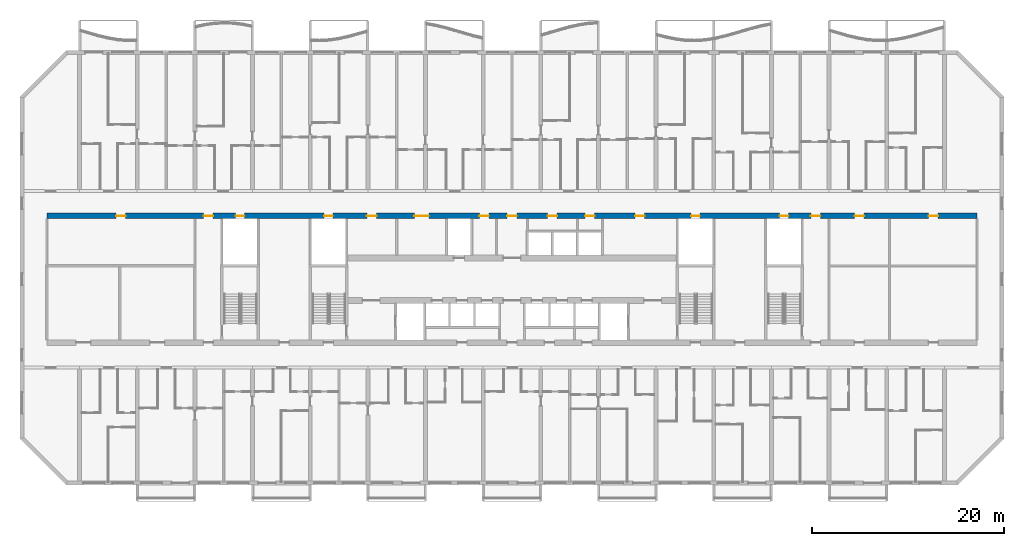
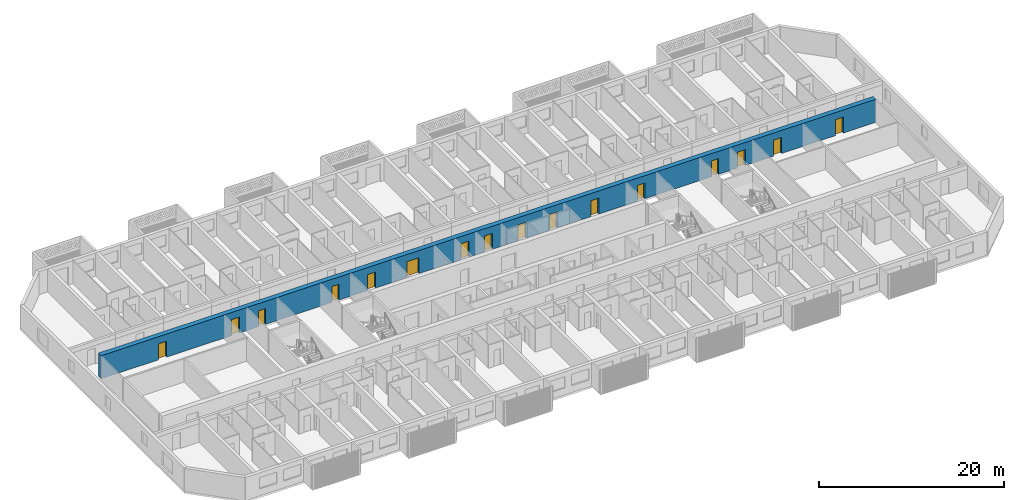
# One storey, part 9 of 38: 16 doors, 1 wall, 16 openings.
"""IFC4 building model written with IfcOpenShell, lengths in metres."""

from ifc_helpers import new_model, si_unit, direction, frame, frame_2d, origin, place, context, subcontext, project, spatial, rectangle, extrude, material, layer, layer_set, type_object, element, fill, save


model = new_model("IFC4")

# Units and contexts
model_context = context("Model", 3, precision=1e-05, world=origin(), true_north=direction((0.0, 1.0)))
body_context = subcontext(model_context, "Body", "Model", "MODEL_VIEW")
ifc_project = project(units=[si_unit("LENGTHUNIT", "METRE"), si_unit("AREAUNIT", "SQUARE_METRE"), si_unit("VOLUMEUNIT", "CUBIC_METRE"), si_unit("PLANEANGLEUNIT", "RADIAN"), si_unit("MASSUNIT", "GRAM", prefix="KILO")], contexts=[model_context])

# Site, building, storey
site_placement = place(None, origin())
site = spatial("IfcSite", under=ifc_project, at=site_placement, CompositionType="ELEMENT")
building_placement = place(site_placement, origin())
building = spatial("IfcBuilding", under=site, at=building_placement, Name="Poui Terraces", CompositionType="ELEMENT")
storey_placement = place(building_placement, frame((0.0, 0.0, 43.199951171875)))
storey = spatial("IfcBuildingStorey", under=building, at=storey_placement, Name="L11", CompositionType="ELEMENT", Elevation=43.199951171875)

# Wall, openings, doors
ifc_material_1 = material(Name="Concrete 80 MPa", Category="concrete")
ifc_layer = layer(ifc_material_1, 0.60009765625)
ifc_layer_set = layer_set([ifc_layer], Name="Concrete 80 MPa")
wall_type = type_object("IfcWallType", Name="SPINE WALL 600 80 MPA", PredefinedType="SOLIDWALL", material=ifc_layer_set)
wall_placement = place(storey_placement, frame((2.60009765625, 27.800048828125, 0.0), z_axis=(0.0, 0.0, 1.0), x_axis=(1.0, 0.0, 0.0)))
wall = element("IfcWall", 1, at=wall_placement, inside=storey, type_object=wall_type, Name="SPINE WALL", PredefinedType="SOLIDWALL", context=body_context, shape_type="SweptSolid", body=[
    extrude(rectangle(XDim=96.7998046875, YDim=0.60009765625, at=frame_2d((48.39990234375, 0.0))), origin(), (0.0, 0.0, 1.0), 3.050048828125),
])
opening_1_placement = place(wall_placement, frame((7.199951171875, 0.0, 0.0)))
opening_1 = element("IfcOpeningElement", 2, at=opening_1_placement, cuts=wall, Name="Opening D100", PredefinedType="OPENING", context=body_context, shape_type="SweptSolid", body=[
    extrude(rectangle(XDim=1.0, YDim=2.10009765625, at=frame_2d((0.5, 1.050048828125))), frame((0.0, 0.31005859375, 0.0), z_axis=(0.0, -1.0, 0.0), x_axis=(1.0, 0.0, 0.0)), (0.0, 0.0, 1.0), 0.6201171875),
])
opening_2_placement = place(wall_placement, frame((16.300048828125, 0.0, 0.0)))
opening_2 = element("IfcOpeningElement", 3, at=opening_2_placement, cuts=wall, Name="Opening FDL", PredefinedType="OPENING", context=body_context, shape_type="SweptSolid", body=[
    extrude(rectangle(XDim=1.0, YDim=2.10009765625, at=frame_2d((0.5, 1.050048828125))), frame((0.0, 0.31005859375, 0.0), z_axis=(0.0, -1.0, 0.0), x_axis=(1.0, 0.0, 0.0)), (0.0, 0.0, 1.0), 0.6201171875),
])
opening_3_placement = place(wall_placement, frame((19.64990234375, 0.0, 0.0)))
opening_3 = element("IfcOpeningElement", 4, at=opening_3_placement, cuts=wall, Name="Opening FDR", PredefinedType="OPENING", context=body_context, shape_type="SweptSolid", body=[
    extrude(rectangle(XDim=0.89990234375, YDim=2.10009765625, at=frame_2d((0.449951171875, 1.050048828125))), frame((0.0, 0.31005859375, 0.0), z_axis=(0.0, -1.0, 0.0), x_axis=(1.0, 0.0, 0.0)), (0.0, 0.0, 1.0), 0.6201171875),
])
opening_4_placement = place(wall_placement, frame((28.85009765625, 0.0, 0.0)))
opening_4 = element("IfcOpeningElement", 5, at=opening_4_placement, cuts=wall, Name="Opening FDR", PredefinedType="OPENING", context=body_context, shape_type="SweptSolid", body=[
    extrude(rectangle(XDim=0.89990234375, YDim=2.10009765625, at=frame_2d((0.449951171875, 1.050048828125))), frame((0.0, 0.31005859375, 0.0), z_axis=(0.0, -1.0, 0.0), x_axis=(1.0, 0.0, 0.0)), (0.0, 0.0, 1.0), 0.6201171875),
])
opening_5_placement = place(wall_placement, frame((33.300048828125, 0.0, 0.0)))
opening_5 = element("IfcOpeningElement", 6, at=opening_5_placement, cuts=wall, Name="Opening FD60", PredefinedType="OPENING", context=body_context, shape_type="SweptSolid", body=[
    extrude(rectangle(XDim=1.0, YDim=2.10009765625, at=frame_2d((0.5, 1.050048828125))), frame((0.0, 0.31005859375, 0.0), z_axis=(0.0, -1.0, 0.0), x_axis=(1.0, 0.0, 0.0)), (0.0, 0.0, 1.0), 0.6201171875),
])
opening_6_placement = place(wall_placement, frame((38.25, 0.0, 0.0)))
opening_6 = element("IfcOpeningElement", 7, at=opening_6_placement, cuts=wall, Name="Opening FDP", PredefinedType="OPENING", context=body_context, shape_type="SweptSolid", body=[
    extrude(rectangle(XDim=1.5, YDim=2.10009765625, at=frame_2d((0.75, 1.050048828125))), frame((0.0, 0.31005859375, 0.0), z_axis=(0.0, -1.0, 0.0), x_axis=(1.0, 0.0, 0.0)), (0.0, 0.0, 1.0), 0.6201171875),
])
opening_7_placement = place(wall_placement, frame((45.0, 0.0, 0.0)))
opening_7 = element("IfcOpeningElement", 8, at=opening_7_placement, cuts=wall, Name="Opening FD60", PredefinedType="OPENING", context=body_context, shape_type="SweptSolid", body=[
    extrude(rectangle(XDim=1.0, YDim=2.10009765625, at=frame_2d((0.5, 1.050048828125))), frame((0.0, 0.31005859375, 0.0), z_axis=(0.0, -1.0, 0.0), x_axis=(1.0, 0.0, 0.0)), (0.0, 0.0, 1.0), 0.6201171875),
])
opening_8_placement = place(wall_placement, frame((47.89990234375, 0.0, 0.0)))
opening_8 = element("IfcOpeningElement", 9, at=opening_8_placement, cuts=wall, Name="Opening FDL", PredefinedType="OPENING", context=body_context, shape_type="SweptSolid", body=[
    extrude(rectangle(XDim=1.0, YDim=2.10009765625, at=frame_2d((0.5, 1.050048828125))), frame((0.0, 0.31005859375, 0.0), z_axis=(0.0, -1.0, 0.0), x_axis=(1.0, 0.0, 0.0)), (0.0, 0.0, 1.0), 0.6201171875),
])
opening_9_placement = place(wall_placement, frame((52.10009765625, 0.0, 0.0)))
opening_9 = element("IfcOpeningElement", 10, at=opening_9_placement, cuts=wall, Name="Opening FD60", PredefinedType="OPENING", context=body_context, shape_type="SweptSolid", body=[
    extrude(rectangle(XDim=1.0, YDim=2.10009765625, at=frame_2d((0.5, 1.050048828125))), frame((0.0, 0.31005859375, 0.0), z_axis=(0.0, -1.0, 0.0), x_axis=(1.0, 0.0, 0.0)), (0.0, 0.0, 1.0), 0.6201171875),
])
opening_10_placement = place(wall_placement, frame((56.0, 0.0, 0.0)))
opening_10 = element("IfcOpeningElement", 11, at=opening_10_placement, cuts=wall, Name="Opening FD60", PredefinedType="OPENING", context=body_context, shape_type="SweptSolid", body=[
    extrude(rectangle(XDim=1.0, YDim=2.10009765625, at=frame_2d((0.5, 1.050048828125))), frame((0.0, 0.31005859375, 0.0), z_axis=(0.0, -1.0, 0.0), x_axis=(1.0, 0.0, 0.0)), (0.0, 0.0, 1.0), 0.6201171875),
])
opening_11_placement = place(wall_placement, frame((61.199951171875, 0.0, 0.0)))
opening_11 = element("IfcOpeningElement", 12, at=opening_11_placement, cuts=wall, Name="Opening FD60", PredefinedType="OPENING", context=body_context, shape_type="SweptSolid", body=[
    extrude(rectangle(XDim=1.0, YDim=2.10009765625, at=frame_2d((0.5, 1.050048828125))), frame((0.0, 0.31005859375, 0.0), z_axis=(0.0, -1.0, 0.0), x_axis=(1.0, 0.0, 0.0)), (0.0, 0.0, 1.0), 0.6201171875),
])
opening_12_placement = place(wall_placement, frame((67.050048828125, 0.0, 0.0)))
opening_12 = element("IfcOpeningElement", 13, at=opening_12_placement, cuts=wall, Name="Opening FDR", PredefinedType="OPENING", context=body_context, shape_type="SweptSolid", body=[
    extrude(rectangle(XDim=0.89990234375, YDim=2.10009765625, at=frame_2d((0.449951171875, 1.050048828125))), frame((0.0, 0.31005859375, 0.0), z_axis=(0.0, -1.0, 0.0), x_axis=(1.0, 0.0, 0.0)), (0.0, 0.0, 1.0), 0.6201171875),
])
opening_13_placement = place(wall_placement, frame((76.25, 0.0, 0.0)))
opening_13 = element("IfcOpeningElement", 14, at=opening_13_placement, cuts=wall, Name="Opening FDR", PredefinedType="OPENING", context=body_context, shape_type="SweptSolid", body=[
    extrude(rectangle(XDim=0.89990234375, YDim=2.10009765625, at=frame_2d((0.449951171875, 1.050048828125))), frame((0.0, 0.31005859375, 0.0), z_axis=(0.0, -1.0, 0.0), x_axis=(1.0, 0.0, 0.0)), (0.0, 0.0, 1.0), 0.6201171875),
])
opening_14_placement = place(wall_placement, frame((79.5, 0.0, 0.0)))
opening_14 = element("IfcOpeningElement", 15, at=opening_14_placement, cuts=wall, Name="Opening FDL", PredefinedType="OPENING", context=body_context, shape_type="SweptSolid", body=[
    extrude(rectangle(XDim=1.0, YDim=2.10009765625, at=frame_2d((0.5, 1.050048828125))), frame((0.0, 0.31005859375, 0.0), z_axis=(0.0, -1.0, 0.0), x_axis=(1.0, 0.0, 0.0)), (0.0, 0.0, 1.0), 0.6201171875),
])
opening_15_placement = place(wall_placement, frame((84.050048828125, 0.0, 0.0)))
opening_15 = element("IfcOpeningElement", 16, at=opening_15_placement, cuts=wall, Name="Opening D100", PredefinedType="OPENING", context=body_context, shape_type="SweptSolid", body=[
    extrude(rectangle(XDim=1.0, YDim=2.10009765625, at=frame_2d((0.5, 1.050048828125))), frame((0.0, 0.31005859375, 0.0), z_axis=(0.0, -1.0, 0.0), x_axis=(1.0, 0.0, 0.0)), (0.0, 0.0, 1.0), 0.6201171875),
])
opening_16_placement = place(wall_placement, frame((91.75, 0.0, 0.0)))
opening_16 = element("IfcOpeningElement", 17, at=opening_16_placement, cuts=wall, Name="Opening FD60", PredefinedType="OPENING", context=body_context, shape_type="SweptSolid", body=[
    extrude(rectangle(XDim=1.0, YDim=2.10009765625, at=frame_2d((0.5, 1.050048828125))), frame((0.0, 0.31005859375, 0.0), z_axis=(0.0, -1.0, 0.0), x_axis=(1.0, 0.0, 0.0)), (0.0, 0.0, 1.0), 0.6201171875),
])
ifc_material_2 = material(Name="Solid core timber door", Category="wood")
door_type_1 = type_object("IfcDoorType", Name="ACCESSIBLE INTERNAL DOOR 1000 X 2100", OperationType="NOTDEFINED", PredefinedType="DOOR", material=ifc_material_2)
door_1_placement = place(opening_1_placement, origin())
door_1 = element("IfcDoor", 18, at=door_1_placement, inside=storey, type_object=door_type_1, Name="ACCESSIBLE INTERNAL DOOR 001", OperationType="SINGLE_SWING_RIGHT", OverallHeight=2.10009765625, OverallWidth=1.0, PredefinedType="DOOR", context=body_context, shape_type="SweptSolid", body=[
    extrude(rectangle(XDim=1.0, YDim=2.10009765625, at=frame_2d((0.5, 1.050048828125))), frame((0.0, 0.02490234375, 0.0), z_axis=(0.0, -1.0, 0.0), x_axis=(1.0, 0.0, 0.0)), (0.0, 0.0, 1.0), 0.050048828125),
])
fill(opening_1, door_1)
door_2_placement = place(opening_15_placement, origin())
door_2 = element("IfcDoor", 19, at=door_2_placement, inside=storey, type_object=door_type_1, Name="ACCESSIBLE INTERNAL DOOR 015", OperationType="SINGLE_SWING_LEFT", OverallHeight=2.10009765625, OverallWidth=1.0, PredefinedType="DOOR", context=body_context, shape_type="SweptSolid", body=[
    extrude(rectangle(XDim=1.0, YDim=2.10009765625, at=frame_2d((0.5, 1.050048828125))), frame((0.0, 0.02490234375, 0.0), z_axis=(0.0, -1.0, 0.0), x_axis=(1.0, 0.0, 0.0)), (0.0, 0.0, 1.0), 0.050048828125),
])
fill(opening_15, door_2)
ifc_material_3 = material(Name="Steel fire door", Category="steel")
door_type_2 = type_object("IfcDoorType", Name="LOBBY FIRE DOOR 1000 X 2100", OperationType="NOTDEFINED", PredefinedType="DOOR", material=ifc_material_3)
door_3_placement = place(opening_2_placement, origin())
door_3 = element("IfcDoor", 20, at=door_3_placement, inside=storey, type_object=door_type_2, Name="LOBBY FIRE DOOR 002", OperationType="SINGLE_SWING_LEFT", OverallHeight=2.10009765625, OverallWidth=1.0, PredefinedType="DOOR", context=body_context, shape_type="SweptSolid", body=[
    extrude(rectangle(XDim=1.0, YDim=2.10009765625, at=frame_2d((0.5, 1.050048828125))), frame((0.0, 0.02490234375, 0.0), z_axis=(0.0, -1.0, 0.0), x_axis=(1.0, 0.0, 0.0)), (0.0, 0.0, 1.0), 0.050048828125),
])
fill(opening_2, door_3)
door_4_placement = place(opening_8_placement, origin())
door_4 = element("IfcDoor", 21, at=door_4_placement, inside=storey, type_object=door_type_2, Name="LOBBY FIRE DOOR 008", OperationType="SINGLE_SWING_RIGHT", OverallHeight=2.10009765625, OverallWidth=1.0, PredefinedType="DOOR", context=body_context, shape_type="SweptSolid", body=[
    extrude(rectangle(XDim=1.0, YDim=2.10009765625, at=frame_2d((0.5, 1.050048828125))), frame((0.0, 0.02490234375, 0.0), z_axis=(0.0, -1.0, 0.0), x_axis=(1.0, 0.0, 0.0)), (0.0, 0.0, 1.0), 0.050048828125),
])
fill(opening_8, door_4)
door_5_placement = place(opening_14_placement, origin())
door_5 = element("IfcDoor", 22, at=door_5_placement, inside=storey, type_object=door_type_2, Name="LOBBY FIRE DOOR 014", OperationType="SINGLE_SWING_RIGHT", OverallHeight=2.10009765625, OverallWidth=1.0, PredefinedType="DOOR", context=body_context, shape_type="SweptSolid", body=[
    extrude(rectangle(XDim=1.0, YDim=2.10009765625, at=frame_2d((0.5, 1.050048828125))), frame((0.0, 0.02490234375, 0.0), z_axis=(0.0, -1.0, 0.0), x_axis=(1.0, 0.0, 0.0)), (0.0, 0.0, 1.0), 0.050048828125),
])
fill(opening_14, door_5)
door_type_3 = type_object("IfcDoorType", Name="PLANT ROOM DOOR PAIR 1500 X 2100", OperationType="DOUBLE_DOOR_SINGLE_SWING", PredefinedType="DOOR", material=ifc_material_3)
door_6_placement = place(opening_6_placement, origin())
door_6 = element("IfcDoor", 23, at=door_6_placement, inside=storey, type_object=door_type_3, Name="PLANT ROOM DOOR PAIR 006", OperationType="DOUBLE_DOOR_SINGLE_SWING", OverallHeight=2.10009765625, OverallWidth=1.5, PredefinedType="DOOR", context=body_context, shape_type="SweptSolid", body=[
    extrude(rectangle(XDim=1.5, YDim=2.10009765625, at=frame_2d((0.75, 1.050048828125))), frame((0.0, 0.02490234375, 0.0), z_axis=(0.0, -1.0, 0.0), x_axis=(1.0, 0.0, 0.0)), (0.0, 0.0, 1.0), 0.050048828125),
])
fill(opening_6, door_6)
door_type_4 = type_object("IfcDoorType", Name="RISER CUPBOARD DOOR 900 X 2100", OperationType="NOTDEFINED", PredefinedType="DOOR", material=ifc_material_3)
door_7_placement = place(opening_3_placement, origin())
door_7 = element("IfcDoor", 24, at=door_7_placement, inside=storey, type_object=door_type_4, Name="RISER CUPBOARD DOOR 003", OperationType="SINGLE_SWING_LEFT", OverallHeight=2.10009765625, OverallWidth=0.89990234375, PredefinedType="DOOR", context=body_context, shape_type="SweptSolid", body=[
    extrude(rectangle(XDim=0.89990234375, YDim=2.10009765625, at=frame_2d((0.449951171875, 1.050048828125))), frame((0.0, 0.02490234375, 0.0), z_axis=(0.0, -1.0, 0.0), x_axis=(1.0, 0.0, 0.0)), (0.0, 0.0, 1.0), 0.050048828125),
])
fill(opening_3, door_7)
door_8_placement = place(opening_4_placement, origin())
door_8 = element("IfcDoor", 25, at=door_8_placement, inside=storey, type_object=door_type_4, Name="RISER CUPBOARD DOOR 004", OperationType="SINGLE_SWING_LEFT", OverallHeight=2.10009765625, OverallWidth=0.89990234375, PredefinedType="DOOR", context=body_context, shape_type="SweptSolid", body=[
    extrude(rectangle(XDim=0.89990234375, YDim=2.10009765625, at=frame_2d((0.449951171875, 1.050048828125))), frame((0.0, 0.02490234375, 0.0), z_axis=(0.0, -1.0, 0.0), x_axis=(1.0, 0.0, 0.0)), (0.0, 0.0, 1.0), 0.050048828125),
])
fill(opening_4, door_8)
door_9_placement = place(opening_12_placement, origin())
door_9 = element("IfcDoor", 26, at=door_9_placement, inside=storey, type_object=door_type_4, Name="RISER CUPBOARD DOOR 012", OperationType="SINGLE_SWING_RIGHT", OverallHeight=2.10009765625, OverallWidth=0.89990234375, PredefinedType="DOOR", context=body_context, shape_type="SweptSolid", body=[
    extrude(rectangle(XDim=0.89990234375, YDim=2.10009765625, at=frame_2d((0.449951171875, 1.050048828125))), frame((0.0, 0.02490234375, 0.0), z_axis=(0.0, -1.0, 0.0), x_axis=(1.0, 0.0, 0.0)), (0.0, 0.0, 1.0), 0.050048828125),
])
fill(opening_12, door_9)
door_10_placement = place(opening_13_placement, origin())
door_10 = element("IfcDoor", 27, at=door_10_placement, inside=storey, type_object=door_type_4, Name="RISER CUPBOARD DOOR 013", OperationType="SINGLE_SWING_RIGHT", OverallHeight=2.10009765625, OverallWidth=0.89990234375, PredefinedType="DOOR", context=body_context, shape_type="SweptSolid", body=[
    extrude(rectangle(XDim=0.89990234375, YDim=2.10009765625, at=frame_2d((0.449951171875, 1.050048828125))), frame((0.0, 0.02490234375, 0.0), z_axis=(0.0, -1.0, 0.0), x_axis=(1.0, 0.0, 0.0)), (0.0, 0.0, 1.0), 0.050048828125),
])
fill(opening_13, door_10)
door_type_5 = type_object("IfcDoorType", Name="SERVICE ROOM FIRE DOOR 1000 X 2100", OperationType="NOTDEFINED", PredefinedType="DOOR", material=ifc_material_3)
door_11_placement = place(opening_5_placement, origin())
door_11 = element("IfcDoor", 28, at=door_11_placement, inside=storey, type_object=door_type_5, Name="SERVICE ROOM FIRE DOOR 005", OperationType="SINGLE_SWING_RIGHT", OverallHeight=2.10009765625, OverallWidth=1.0, PredefinedType="DOOR", context=body_context, shape_type="SweptSolid", body=[
    extrude(rectangle(XDim=1.0, YDim=2.10009765625, at=frame_2d((0.5, 1.050048828125))), frame((0.0, 0.02490234375, 0.0), z_axis=(0.0, -1.0, 0.0), x_axis=(1.0, 0.0, 0.0)), (0.0, 0.0, 1.0), 0.050048828125),
])
fill(opening_5, door_11)
door_12_placement = place(opening_7_placement, origin())
door_12 = element("IfcDoor", 29, at=door_12_placement, inside=storey, type_object=door_type_5, Name="SERVICE ROOM FIRE DOOR 007", OperationType="SINGLE_SWING_RIGHT", OverallHeight=2.10009765625, OverallWidth=1.0, PredefinedType="DOOR", context=body_context, shape_type="SweptSolid", body=[
    extrude(rectangle(XDim=1.0, YDim=2.10009765625, at=frame_2d((0.5, 1.050048828125))), frame((0.0, 0.02490234375, 0.0), z_axis=(0.0, -1.0, 0.0), x_axis=(1.0, 0.0, 0.0)), (0.0, 0.0, 1.0), 0.050048828125),
])
fill(opening_7, door_12)
door_13_placement = place(opening_9_placement, origin())
door_13 = element("IfcDoor", 30, at=door_13_placement, inside=storey, type_object=door_type_5, Name="SERVICE ROOM FIRE DOOR 009", OperationType="SINGLE_SWING_LEFT", OverallHeight=2.10009765625, OverallWidth=1.0, PredefinedType="DOOR", context=body_context, shape_type="SweptSolid", body=[
    extrude(rectangle(XDim=1.0, YDim=2.10009765625, at=frame_2d((0.5, 1.050048828125))), frame((0.0, 0.02490234375, 0.0), z_axis=(0.0, -1.0, 0.0), x_axis=(1.0, 0.0, 0.0)), (0.0, 0.0, 1.0), 0.050048828125),
])
fill(opening_9, door_13)
door_14_placement = place(opening_10_placement, origin())
door_14 = element("IfcDoor", 31, at=door_14_placement, inside=storey, type_object=door_type_5, Name="SERVICE ROOM FIRE DOOR 010", OperationType="SINGLE_SWING_RIGHT", OverallHeight=2.10009765625, OverallWidth=1.0, PredefinedType="DOOR", context=body_context, shape_type="SweptSolid", body=[
    extrude(rectangle(XDim=1.0, YDim=2.10009765625, at=frame_2d((0.5, 1.050048828125))), frame((0.0, 0.02490234375, 0.0), z_axis=(0.0, -1.0, 0.0), x_axis=(1.0, 0.0, 0.0)), (0.0, 0.0, 1.0), 0.050048828125),
])
fill(opening_10, door_14)
door_15_placement = place(opening_11_placement, origin())
door_15 = element("IfcDoor", 32, at=door_15_placement, inside=storey, type_object=door_type_5, Name="SERVICE ROOM FIRE DOOR 011", OperationType="SINGLE_SWING_LEFT", OverallHeight=2.10009765625, OverallWidth=1.0, PredefinedType="DOOR", context=body_context, shape_type="SweptSolid", body=[
    extrude(rectangle(XDim=1.0, YDim=2.10009765625, at=frame_2d((0.5, 1.050048828125))), frame((0.0, 0.02490234375, 0.0), z_axis=(0.0, -1.0, 0.0), x_axis=(1.0, 0.0, 0.0)), (0.0, 0.0, 1.0), 0.050048828125),
])
fill(opening_11, door_15)
door_16_placement = place(opening_16_placement, origin())
door_16 = element("IfcDoor", 33, at=door_16_placement, inside=storey, type_object=door_type_5, Name="SERVICE ROOM FIRE DOOR 016", OperationType="SINGLE_SWING_RIGHT", OverallHeight=2.10009765625, OverallWidth=1.0, PredefinedType="DOOR", context=body_context, shape_type="SweptSolid", body=[
    extrude(rectangle(XDim=1.0, YDim=2.10009765625, at=frame_2d((0.5, 1.050048828125))), frame((0.0, 0.02490234375, 0.0), z_axis=(0.0, -1.0, 0.0), x_axis=(1.0, 0.0, 0.0)), (0.0, 0.0, 1.0), 0.050048828125),
])
fill(opening_16, door_16)

save(model, "model.ifc")
